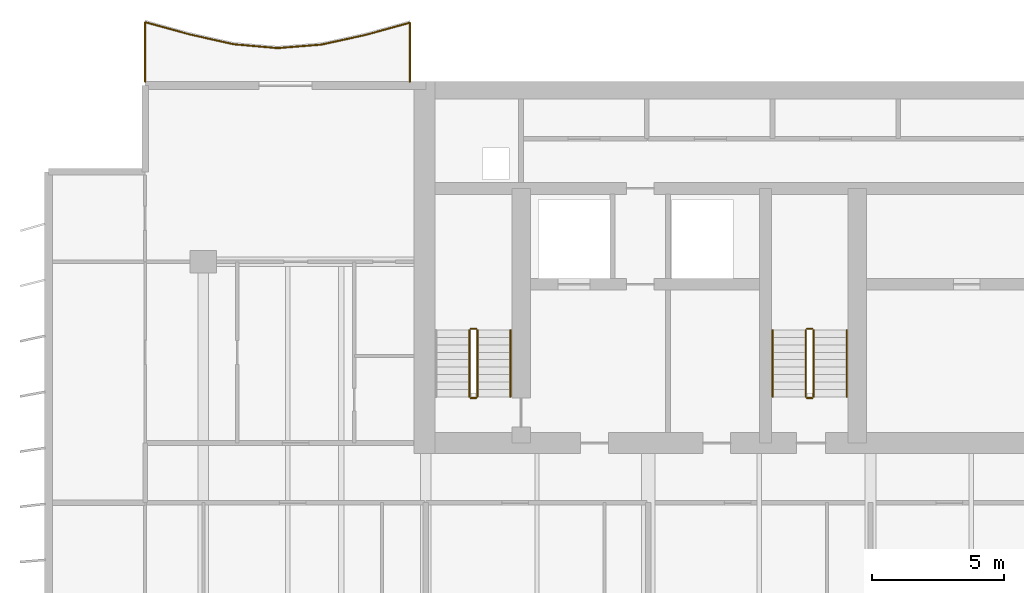
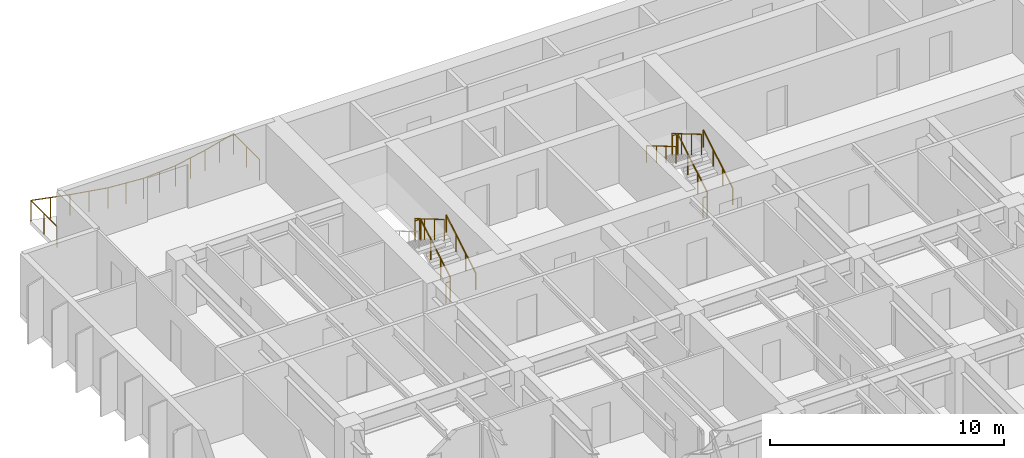
# One storey, part 16 of 18: 12 railings.
"""IFC4 building model written with IfcOpenShell, lengths in metres."""

import ifcopenshell
import ifcopenshell.guid

model = None  # the IFC model being written
_history = None  # IfcOwnerHistory: only IFC2X3 demands one
_inside = {}  # id of a spatial element -> (the spatial element, [elements in it])
_under = {}  # id of a project, library or spatial element -> (it, [spatial elements below it])
_declared = {}  # id of a project -> (the project, [libraries it declares])
_typed = {}  # id of a type object -> (the type object, [elements of that type])
_made_of = {}  # id of a material, layer set ... -> (it, [elements and type objects made of it])


def new_model(schema):
    """Start an empty IFC model of exactly this schema.

    Asked for "IFC4X3", IfcOpenShell would pick the latest addendum, in which some entities
    have other attributes; the version numbers below select the first issue.
    IFC2X3 requires an IfcOwnerHistory on every rooted entity: one is made here for all.
    """
    global model, _history
    if schema == "IFC4X3":
        model = ifcopenshell.file(schema_version=(4, 3, 0, 0))
    else:
        model = ifcopenshell.file(schema=schema)
    _inside.clear()
    _under.clear()
    _declared.clear()
    _typed.clear()
    _made_of.clear()
    _history = None
    if model.schema == "IFC2X3":
        org = make("IfcOrganization", Name="unknown")
        user = make(
            "IfcPersonAndOrganization",
            ThePerson=make("IfcPerson", FamilyName="unknown"),
            TheOrganization=org,
        )
        app = make(
            "IfcApplication",
            ApplicationDeveloper=org,
            Version="unknown",
            ApplicationFullName="unknown",
            ApplicationIdentifier="unknown",
        )
        _history = make(
            "IfcOwnerHistory",
            OwningUser=user,
            OwningApplication=app,
            ChangeAction="ADDED",
            CreationDate=0,
        )
    return model


def make(cls, **values):
    """One entity of the class cls with the attributes given. An attribute that is None is left unset."""
    return model.create_entity(
        cls, **{name: value for name, value in values.items() if value is not None}
    )


def rooted(cls, **values):
    """An entity with a GlobalId (a new one), such as an element, a storey or a relation."""
    return make(cls, GlobalId=ifcopenshell.guid.new(), OwnerHistory=_history, **values)


def si_unit(unit_type, name, prefix=None):
    """IfcSIUnit, for example si_unit("LENGTHUNIT", "METRE", prefix="MILLI")."""
    return make("IfcSIUnit", UnitType=unit_type, Prefix=prefix, Name=name)


def assignment(units):
    """IfcUnitAssignment: the units of a project."""
    return None if units is None else make("IfcUnitAssignment", Units=units)


def point(xyz):
    """IfcCartesianPoint."""
    return None if xyz is None else make("IfcCartesianPoint", Coordinates=xyz)


def direction(xyz):
    """IfcDirection."""
    return None if xyz is None else make("IfcDirection", DirectionRatios=xyz)


def frame(location, z_axis=None, x_axis=None):
    """IfcAxis2Placement3D, a coordinate frame: its origin and axes. An axis left out is left unset."""
    return make(
        "IfcAxis2Placement3D",
        Location=point(location),
        Axis=direction(z_axis),
        RefDirection=direction(x_axis),
    )


def frame_2d(location, x_axis=None):
    """IfcAxis2Placement2D, a coordinate frame in the plane: its origin and x axis."""
    return make(
        "IfcAxis2Placement2D", Location=point(location), RefDirection=direction(x_axis)
    )


def origin():
    """The frame at (0, 0, 0) with its axes left unset."""
    return frame((0.0, 0.0, 0.0))


def origin_2d():
    """The frame at (0, 0) in the plane with its x axis left unset."""
    return frame_2d((0.0, 0.0))


def place(relative_to, where):
    """IfcLocalPlacement: puts the frame where relative to a parent placement (None: the world)."""
    return make(
        "IfcLocalPlacement", PlacementRelTo=relative_to, RelativePlacement=where
    )


def context(
    kind, dimensions, precision=None, world=None, true_north=None, identifier=None
):
    """IfcGeometricRepresentationContext, for example the 3D "Model" context."""
    return make(
        "IfcGeometricRepresentationContext",
        ContextIdentifier=identifier,
        ContextType=kind,
        CoordinateSpaceDimension=dimensions,
        Precision=precision,
        WorldCoordinateSystem=world,
        TrueNorth=true_north,
    )


def subcontext(parent, identifier, kind, view, scale=None):
    """IfcGeometricRepresentationSubContext, for example "Body" below "Model"."""
    return make(
        "IfcGeometricRepresentationSubContext",
        ContextIdentifier=identifier,
        ContextType=kind,
        ParentContext=parent,
        TargetScale=scale,
        TargetView=view,
    )


def project(units=None, contexts=None):
    """IfcProject with its units and contexts."""
    return rooted(
        "IfcProject",
        Name="project",
        RepresentationContexts=contexts,
        UnitsInContext=assignment(units),
    )


def spatial(cls, under=None, at=None, **own):
    """A site, building, storey or space (cls), placed at a placement, below another one or the project."""
    s = rooted(cls, ObjectPlacement=at, **own)
    if under is not None:
        _under.setdefault(under.id(), (under, []))[1].append(s)
    return s


def profile(cls, at=None, kind="AREA", **sizes):
    """A parametric profile (cls). Its sizes go by their IFC names, for example OverallWidth=200.0."""
    return make(cls, ProfileType=kind, Position=at, **sizes)


def circle(**sizes):
    """IfcCircleProfileDef."""
    return profile("IfcCircleProfileDef", **sizes)


def extrude(swept, where, along, depth):
    """IfcExtrudedAreaSolid: the profile swept, set in the frame where, extruded along a direction by depth."""
    return make(
        "IfcExtrudedAreaSolid",
        SweptArea=swept,
        Position=where,
        ExtrudedDirection=direction(along),
        Depth=depth,
    )


def shape(context_of_items, identifier, shape_type, items):
    """IfcShapeRepresentation: the items that make up one representation, for example the "Body"."""
    return make(
        "IfcShapeRepresentation",
        ContextOfItems=context_of_items,
        RepresentationIdentifier=identifier,
        RepresentationType=shape_type,
        Items=items,
    )


def material(Name=None, Category=None):
    """IfcMaterial."""
    return make("IfcMaterial", Name=Name, Category=Category)


def made_of(thing, what):
    """Note that an element or type object is made of a material, layer set ...; save() writes the relation."""
    if what is not None:
        _made_of.setdefault(what.id(), (what, []))[1].append(thing)
    return thing


def type_object(cls, material=None, **own):
    """A type object (cls), such as IfcWallType, which elements share."""
    return made_of(rooted(cls, **own), material)


def element(
    cls,
    number,
    at=None,
    inside=None,
    cuts=None,
    type_object=None,
    material=None,
    context=None,
    identifier="Body",
    shape_type=None,
    held_by="IfcProductDefinitionShape",
    body=None,
    shapes=None,
    **own,
):
    """One element of the class cls, such as IfcWall. Its Tag is "e" and its number.

    at: its placement. inside: the storey or other place that contains it. cuts: it is an
    opening in that element (IfcRelVoidsElement). A single representation is given by context,
    identifier, shape_type and body (its items); several are given by shapes. held_by: the class
    of the entity that holds the representations. save() writes the other relations.
    """
    e = rooted(cls, Tag="e%d" % number, ObjectPlacement=at, **own)
    if body is not None:
        shapes = [shape(context, identifier, shape_type, body)]
    if shapes is not None:
        e.Representation = make(held_by, Representations=shapes)
    if inside is not None:
        _inside.setdefault(inside.id(), (inside, []))[1].append(e)
    if cuts is not None:
        rooted(
            "IfcRelVoidsElement", RelatingBuildingElement=cuts, RelatedOpeningElement=e
        )
    if type_object is not None:
        _typed.setdefault(type_object.id(), (type_object, []))[1].append(e)
    return made_of(e, material)


def aggregate(whole, parts):
    """IfcRelAggregates: a whole, such as a stair, and the parts it consists of."""
    return rooted("IfcRelAggregates", RelatingObject=whole, RelatedObjects=parts)


def save(model, path):
    """Write the relations noted so far, then the file.

    IfcRelAggregates (storeys below a building ...), IfcRelContainedInSpatialStructure (elements
    in a storey), IfcRelDefinesByType, IfcRelAssociatesMaterial and IfcRelDeclares: one each for
    every whole, place, type object, material and project.
    """
    for whole, parts in _under.values():
        aggregate(whole, parts)
    for where, things in _inside.values():
        rooted(
            "IfcRelContainedInSpatialStructure",
            RelatedElements=things,
            RelatingStructure=where,
        )
    for kind, things in _typed.values():
        rooted("IfcRelDefinesByType", RelatedObjects=things, RelatingType=kind)
    for what, things in _made_of.values():
        rooted("IfcRelAssociatesMaterial", RelatedObjects=things, RelatingMaterial=what)
    for by, libraries in _declared.values():
        rooted("IfcRelDeclares", RelatingContext=by, RelatedDefinitions=libraries)
    model.write(path)


model = new_model("IFC4")

# Units and contexts
model_context = context("Model", 3, precision=1e-05, world=origin(), true_north=direction((0.0, 1.0)))
body_context = subcontext(model_context, "Body", "Model", "MODEL_VIEW")
ifc_project = project(units=[si_unit("LENGTHUNIT", "METRE"), si_unit("AREAUNIT", "SQUARE_METRE"), si_unit("VOLUMEUNIT", "CUBIC_METRE"), si_unit("PLANEANGLEUNIT", "RADIAN"), si_unit("MASSUNIT", "GRAM", prefix="KILO")], contexts=[model_context])

# Site, building, storey
site_placement = place(None, origin())
site = spatial("IfcSite", under=ifc_project, at=site_placement, CompositionType="ELEMENT")
building_placement = place(site_placement, origin())
building = spatial("IfcBuilding", under=site, at=building_placement, Name="Caelmar Bay Residences", CompositionType="ELEMENT")
storey_placement = place(building_placement, frame((0.0, 0.0, 129.0)))
storey = spatial("IfcBuildingStorey", under=building, at=storey_placement, Name="L35", CompositionType="ELEMENT", Elevation=129.0)

# Railings
ifc_material_1 = material(Name="Anodised bronze handrail with laminated hurricane glass infill", Category="glass")
railing_type_1 = type_object("IfcRailingType", Name="RL-BAL-1100", PredefinedType="BALUSTRADE", material=ifc_material_1)
railing_1_placement = place(storey_placement, frame((17.699951171875, 50.60009765625, 0.0)))
element("IfcRailing", 1, at=railing_1_placement, inside=storey, type_object=railing_type_1, Name="L35 north_west Balcony Balustrade", PredefinedType="BALUSTRADE", context=body_context, shape_type="SweptSolid", body=[
    extrude(circle(Radius=0.02392578125, at=origin_2d()), frame((0.0, 0.0, 1.076171875), z_axis=(0.0, 1.0, 0.0), x_axis=(-1.0, 0.0, 0.0)), (0.0, 0.0, 1.0), 2.230224609375),
    extrude(circle(Radius=0.02392578125, at=origin_2d()), frame((0.0, 2.230224609375, 1.076171875), z_axis=(-0.964003851304, -0.265888274792, 0.0), x_axis=(0.265888274792, -0.964003851304, 0.0)), (0.0, 0.0, 1.0), 1.72900390625),
    extrude(circle(Radius=0.02392578125, at=origin_2d()), frame((-1.666748046875, 1.7705078125, 1.076171875), z_axis=(-0.97672606775, -0.214490532604, 0.0), x_axis=(0.214490532604, -0.97672606775, 0.0)), (0.0, 0.0, 1.0), 1.706298828125),
    extrude(circle(Radius=0.02392578125, at=origin_2d()), frame((-3.333251953125, 1.404541015625, 1.076171875), z_axis=(-0.996758858584, -0.080447360639, 0.0), x_axis=(0.080447360639, -0.996758858584, 0.0)), (0.0, 0.0, 1.0), 1.672119140625),
    extrude(circle(Radius=0.02392578125, at=origin_2d()), frame((-5.0, 1.27001953125, 1.076171875), z_axis=(-0.99610915751, 0.088128011006, 0.0), x_axis=(-0.088128011006, -0.99610915751, 0.0)), (0.0, 0.0, 1.0), 1.67333984375),
    extrude(circle(Radius=0.02392578125, at=origin_2d()), frame((-6.666748046875, 1.41748046875, 1.076171875), z_axis=(-0.975696921585, 0.219124433166, 0.0), x_axis=(-0.219124433166, -0.975696921585, 0.0)), (0.0, 0.0, 1.0), 1.7080078125),
    extrude(circle(Radius=0.02392578125, at=origin_2d()), frame((-8.333251953125, 1.791748046875, 1.076171875), z_axis=(-0.963967650546, 0.266019489326, 0.0), x_axis=(-0.266019489326, -0.963967650546, 0.0)), (0.0, 0.0, 1.0), 1.72900390625),
    extrude(circle(Radius=0.02392578125, at=origin_2d()), frame((-10.0, 2.251708984375, 1.076171875), z_axis=(0.0, -1.0, 0.0), x_axis=(1.0, 0.0, 0.0)), (0.0, 0.0, 1.0), 2.251708984375),
    extrude(circle(Radius=0.02099609375, at=origin_2d()), origin(), (0.0, 0.0, 1.0), 1.052001953125),
    extrude(circle(Radius=0.02099609375, at=origin_2d()), frame((0.0, 1.115234375, 0.0)), (0.0, 0.0, 1.0), 1.052001953125),
    extrude(circle(Radius=0.02099609375, at=origin_2d()), frame((0.0, 2.230224609375, 0.0)), (0.0, 0.0, 1.0), 1.052001953125),
    extrude(circle(Radius=0.02099609375, at=origin_2d()), frame((-0.83349609375, 2.00048828125, 0.0)), (0.0, 0.0, 1.0), 1.052001953125),
    extrude(circle(Radius=0.02099609375, at=origin_2d()), frame((-1.666748046875, 1.7705078125, 0.0)), (0.0, 0.0, 1.0), 1.052001953125),
    extrude(circle(Radius=0.02099609375, at=origin_2d()), frame((-2.5, 1.58740234375, 0.0)), (0.0, 0.0, 1.0), 1.052001953125),
    extrude(circle(Radius=0.02099609375, at=origin_2d()), frame((-3.333251953125, 1.404541015625, 0.0)), (0.0, 0.0, 1.0), 1.052001953125),
    extrude(circle(Radius=0.02099609375, at=origin_2d()), frame((-4.16650390625, 1.33740234375, 0.0)), (0.0, 0.0, 1.0), 1.052001953125),
    extrude(circle(Radius=0.02099609375, at=origin_2d()), frame((-5.0, 1.27001953125, 0.0)), (0.0, 0.0, 1.0), 1.052001953125),
    extrude(circle(Radius=0.02099609375, at=origin_2d()), frame((-5.83349609375, 1.34375, 0.0)), (0.0, 0.0, 1.0), 1.052001953125),
    extrude(circle(Radius=0.02099609375, at=origin_2d()), frame((-6.666748046875, 1.41748046875, 0.0)), (0.0, 0.0, 1.0), 1.052001953125),
    extrude(circle(Radius=0.02099609375, at=origin_2d()), frame((-7.5, 1.6044921875, 0.0)), (0.0, 0.0, 1.0), 1.052001953125),
    extrude(circle(Radius=0.02099609375, at=origin_2d()), frame((-8.333251953125, 1.791748046875, 0.0)), (0.0, 0.0, 1.0), 1.052001953125),
    extrude(circle(Radius=0.02099609375, at=origin_2d()), frame((-9.16650390625, 2.021728515625, 0.0)), (0.0, 0.0, 1.0), 1.052001953125),
    extrude(circle(Radius=0.02099609375, at=origin_2d()), frame((-10.0, 2.251708984375, 0.0)), (0.0, 0.0, 1.0), 1.052001953125),
    extrude(circle(Radius=0.02099609375, at=origin_2d()), frame((-10.0, 1.1259765625, 0.0)), (0.0, 0.0, 1.0), 1.052001953125),
    extrude(circle(Radius=0.02099609375, at=origin_2d()), frame((-10.0, 0.0, 0.0)), (0.0, 0.0, 1.0), 1.052001953125),
])
ifc_material_2 = material(Name="Painted galvanized steel stair guard 1100 mm", Category="steel")
railing_type_2 = type_object("IfcRailingType", Name="RL-GRD-1100", PredefinedType="GUARDRAIL", material=ifc_material_2)
railing_2_placement = place(storey_placement, frame((20.25, 38.699951171875, 0.1650390625)))
element("IfcRailing", 2, at=railing_2_placement, inside=storey, type_object=railing_type_2, Name="L35 ST1 stair guard 1", PredefinedType="GUARDRAIL", context=body_context, shape_type="SweptSolid", body=[
    extrude(circle(Radius=0.02392578125, at=origin_2d()), frame((0.0, 0.0, 1.076171875), z_axis=(0.0, 0.861560626758, 0.507654692109), x_axis=(-1.0, 0.0, 0.0)), (0.0, 0.0, 1.0), 2.925048828125),
    extrude(circle(Radius=0.02099609375, at=origin_2d()), origin(), (0.0, 0.0, 1.0), 1.052001953125),
    extrude(circle(Radius=0.02099609375, at=origin_2d()), frame((0.0, 0.840087890625, 0.494873046875)), (0.0, 0.0, 1.0), 1.052001953125),
    extrude(circle(Radius=0.02099609375, at=origin_2d()), frame((0.0, 1.679931640625, 0.989990234375)), (0.0, 0.0, 1.0), 1.052001953125),
    extrude(circle(Radius=0.02099609375, at=origin_2d()), frame((0.0, 2.52001953125, 1.48486328125)), (0.0, 0.0, 1.0), 1.052001953125),
])
railing_3_placement = place(storey_placement, frame((20.199951171875, 41.27001953125, 1.64990234375)))
element("IfcRailing", 3, at=railing_3_placement, inside=storey, type_object=railing_type_2, Name="L35 ST1 stair guard 2", PredefinedType="GUARDRAIL", context=body_context, shape_type="SweptSolid", body=[
    extrude(circle(Radius=0.02392578125, at=origin_2d()), frame((0.0, 0.0, 1.076171875), z_axis=(-1.0, 0.0, 0.0), x_axis=(0.0, -1.0, 0.0)), (0.0, 0.0, 1.0), 0.199951171875),
    extrude(circle(Radius=0.02099609375, at=origin_2d()), origin(), (0.0, 0.0, 1.0), 1.052001953125),
    extrude(circle(Radius=0.02099609375, at=origin_2d()), frame((-0.199951171875, 0.0, 0.0)), (0.0, 0.0, 1.0), 1.052001953125),
])
railing_4_placement = place(storey_placement, frame((19.949951171875, 41.219970703125, 1.81494140625)))
element("IfcRailing", 4, at=railing_4_placement, inside=storey, type_object=railing_type_2, Name="L35 ST1 stair guard 3", PredefinedType="GUARDRAIL", context=body_context, shape_type="SweptSolid", body=[
    extrude(circle(Radius=0.02392578125, at=origin_2d()), frame((0.0, 0.0, 1.076171875), z_axis=(0.0, -0.86152411907, 0.507716645641), x_axis=(1.0, 0.0, 0.0)), (0.0, 0.0, 1.0), 2.925048828125),
    extrude(circle(Radius=0.02099609375, at=origin_2d()), origin(), (0.0, 0.0, 1.0), 1.052001953125),
    extrude(circle(Radius=0.02099609375, at=origin_2d()), frame((0.0, -0.840087890625, 0.4951171875)), (0.0, 0.0, 1.0), 1.052001953125),
    extrude(circle(Radius=0.02099609375, at=origin_2d()), frame((0.0, -1.679931640625, 0.989990234375)), (0.0, 0.0, 1.0), 1.052001953125),
    extrude(circle(Radius=0.02099609375, at=origin_2d()), frame((0.0, -2.52001953125, 1.485107421875)), (0.0, 0.0, 1.0), 1.052001953125),
])
railing_5_placement = place(storey_placement, frame((20.199951171875, 38.64990234375, 0.0)))
element("IfcRailing", 5, at=railing_5_placement, inside=storey, type_object=railing_type_2, Name="L35 ST1 stair guard 4", PredefinedType="GUARDRAIL", context=body_context, shape_type="SweptSolid", body=[
    extrude(circle(Radius=0.02392578125, at=origin_2d()), frame((0.0, 0.0, 1.076171875), z_axis=(-1.0, 0.0, 0.0), x_axis=(0.0, -1.0, 0.0)), (0.0, 0.0, 1.0), 0.199951171875),
    extrude(circle(Radius=0.02099609375, at=origin_2d()), origin(), (0.0, 0.0, 1.0), 1.052001953125),
    extrude(circle(Radius=0.02099609375, at=origin_2d()), frame((-0.199951171875, 0.0, 0.0)), (0.0, 0.0, 1.0), 1.052001953125),
])
railing_6_placement = place(storey_placement, frame((32.949951171875, 38.699951171875, 0.1650390625)))
element("IfcRailing", 6, at=railing_6_placement, inside=storey, type_object=railing_type_2, Name="L35 ST3 stair guard 1", PredefinedType="GUARDRAIL", context=body_context, shape_type="SweptSolid", body=[
    extrude(circle(Radius=0.02392578125, at=origin_2d()), frame((0.0, 0.0, 1.076171875), z_axis=(0.0, 0.861560626758, 0.507654692109), x_axis=(-1.0, 0.0, 0.0)), (0.0, 0.0, 1.0), 2.925048828125),
    extrude(circle(Radius=0.02099609375, at=origin_2d()), origin(), (0.0, 0.0, 1.0), 1.052001953125),
    extrude(circle(Radius=0.02099609375, at=origin_2d()), frame((0.0, 0.840087890625, 0.494873046875)), (0.0, 0.0, 1.0), 1.052001953125),
    extrude(circle(Radius=0.02099609375, at=origin_2d()), frame((0.0, 1.679931640625, 0.989990234375)), (0.0, 0.0, 1.0), 1.052001953125),
    extrude(circle(Radius=0.02099609375, at=origin_2d()), frame((0.0, 2.52001953125, 1.48486328125)), (0.0, 0.0, 1.0), 1.052001953125),
])
railing_7_placement = place(storey_placement, frame((32.89990234375, 41.27001953125, 1.64990234375)))
element("IfcRailing", 7, at=railing_7_placement, inside=storey, type_object=railing_type_2, Name="L35 ST3 stair guard 2", PredefinedType="GUARDRAIL", context=body_context, shape_type="SweptSolid", body=[
    extrude(circle(Radius=0.02392578125, at=origin_2d()), frame((0.0, 0.0, 1.076171875), z_axis=(-1.0, 0.0, 0.0), x_axis=(0.0, -1.0, 0.0)), (0.0, 0.0, 1.0), 0.199951171875),
    extrude(circle(Radius=0.02099609375, at=origin_2d()), origin(), (0.0, 0.0, 1.0), 1.052001953125),
    extrude(circle(Radius=0.02099609375, at=origin_2d()), frame((-0.199951171875, 0.0, 0.0)), (0.0, 0.0, 1.0), 1.052001953125),
])
railing_8_placement = place(storey_placement, frame((32.64990234375, 41.219970703125, 1.81494140625)))
element("IfcRailing", 8, at=railing_8_placement, inside=storey, type_object=railing_type_2, Name="L35 ST3 stair guard 3", PredefinedType="GUARDRAIL", context=body_context, shape_type="SweptSolid", body=[
    extrude(circle(Radius=0.02392578125, at=origin_2d()), frame((0.0, 0.0, 1.076171875), z_axis=(0.0, -0.86152411907, 0.507716645641), x_axis=(1.0, 0.0, 0.0)), (0.0, 0.0, 1.0), 2.925048828125),
    extrude(circle(Radius=0.02099609375, at=origin_2d()), origin(), (0.0, 0.0, 1.0), 1.052001953125),
    extrude(circle(Radius=0.02099609375, at=origin_2d()), frame((0.0, -0.840087890625, 0.4951171875)), (0.0, 0.0, 1.0), 1.052001953125),
    extrude(circle(Radius=0.02099609375, at=origin_2d()), frame((0.0, -1.679931640625, 0.989990234375)), (0.0, 0.0, 1.0), 1.052001953125),
    extrude(circle(Radius=0.02099609375, at=origin_2d()), frame((0.0, -2.52001953125, 1.485107421875)), (0.0, 0.0, 1.0), 1.052001953125),
])
railing_9_placement = place(storey_placement, frame((32.89990234375, 38.64990234375, 0.0)))
element("IfcRailing", 9, at=railing_9_placement, inside=storey, type_object=railing_type_2, Name="L35 ST3 stair guard 4", PredefinedType="GUARDRAIL", context=body_context, shape_type="SweptSolid", body=[
    extrude(circle(Radius=0.02392578125, at=origin_2d()), frame((0.0, 0.0, 1.076171875), z_axis=(-1.0, 0.0, 0.0), x_axis=(0.0, -1.0, 0.0)), (0.0, 0.0, 1.0), 0.199951171875),
    extrude(circle(Radius=0.02099609375, at=origin_2d()), origin(), (0.0, 0.0, 1.0), 1.052001953125),
    extrude(circle(Radius=0.02099609375, at=origin_2d()), frame((-0.199951171875, 0.0, 0.0)), (0.0, 0.0, 1.0), 1.052001953125),
])
ifc_material_3 = material(Name="Brushed bronze stainless-steel tubular handrail 900 mm", Category="steel")
railing_type_3 = type_object("IfcRailingType", Name="RL-HND-900", PredefinedType="HANDRAIL", material=ifc_material_3)
for number, where, name in (
    (10, (21.5, 38.699951171875, 0.1650390625), "L35 ST1 stair handrail 1"),
    (11, (34.199951171875, 38.699951171875, 0.1650390625), "L35 ST3 stair handrail 1"),
):
    element("IfcRailing", number, at=place(storey_placement, frame(where)), inside=storey, type_object=railing_type_3, Name=name, PredefinedType="HANDRAIL", context=body_context, shape_type="SweptSolid", body=[
        extrude(circle(Radius=0.02392578125, at=origin_2d()), frame((0.0, 0.0, 0.8759765625), z_axis=(0.0, 0.861560626758, 0.507654692109), x_axis=(-1.0, 0.0, 0.0)), (0.0, 0.0, 1.0), 2.925048828125),
        extrude(circle(Radius=0.02099609375, at=origin_2d()), origin(), (0.0, 0.0, 1.0), 0.851806640625),
        extrude(circle(Radius=0.02099609375, at=origin_2d()), frame((0.0, 0.840087890625, 0.494873046875)), (0.0, 0.0, 1.0), 0.851806640625),
        extrude(circle(Radius=0.02099609375, at=origin_2d()), frame((0.0, 1.679931640625, 0.989990234375)), (0.0, 0.0, 1.0), 0.851806640625),
        extrude(circle(Radius=0.02099609375, at=origin_2d()), frame((0.0, 2.52001953125, 1.48486328125)), (0.0, 0.0, 1.0), 0.851806640625),
    ])
railing_10_placement = place(storey_placement, frame((31.39990234375, 41.219970703125, 1.81494140625)))
element("IfcRailing", 12, at=railing_10_placement, inside=storey, type_object=railing_type_3, Name="L35 ST3 stair handrail 2", PredefinedType="HANDRAIL", context=body_context, shape_type="SweptSolid", body=[
    extrude(circle(Radius=0.02392578125, at=origin_2d()), frame((0.0, 0.0, 0.8759765625), z_axis=(0.0, -0.86152411907, 0.507716645641), x_axis=(1.0, 0.0, 0.0)), (0.0, 0.0, 1.0), 2.925048828125),
    extrude(circle(Radius=0.02099609375, at=origin_2d()), origin(), (0.0, 0.0, 1.0), 0.851806640625),
    extrude(circle(Radius=0.02099609375, at=origin_2d()), frame((0.0, -0.840087890625, 0.4951171875)), (0.0, 0.0, 1.0), 0.851806640625),
    extrude(circle(Radius=0.02099609375, at=origin_2d()), frame((0.0, -1.679931640625, 0.989990234375)), (0.0, 0.0, 1.0), 0.851806640625),
    extrude(circle(Radius=0.02099609375, at=origin_2d()), frame((0.0, -2.52001953125, 1.485107421875)), (0.0, 0.0, 1.0), 0.851806640625),
])

save(model, "model.ifc")
